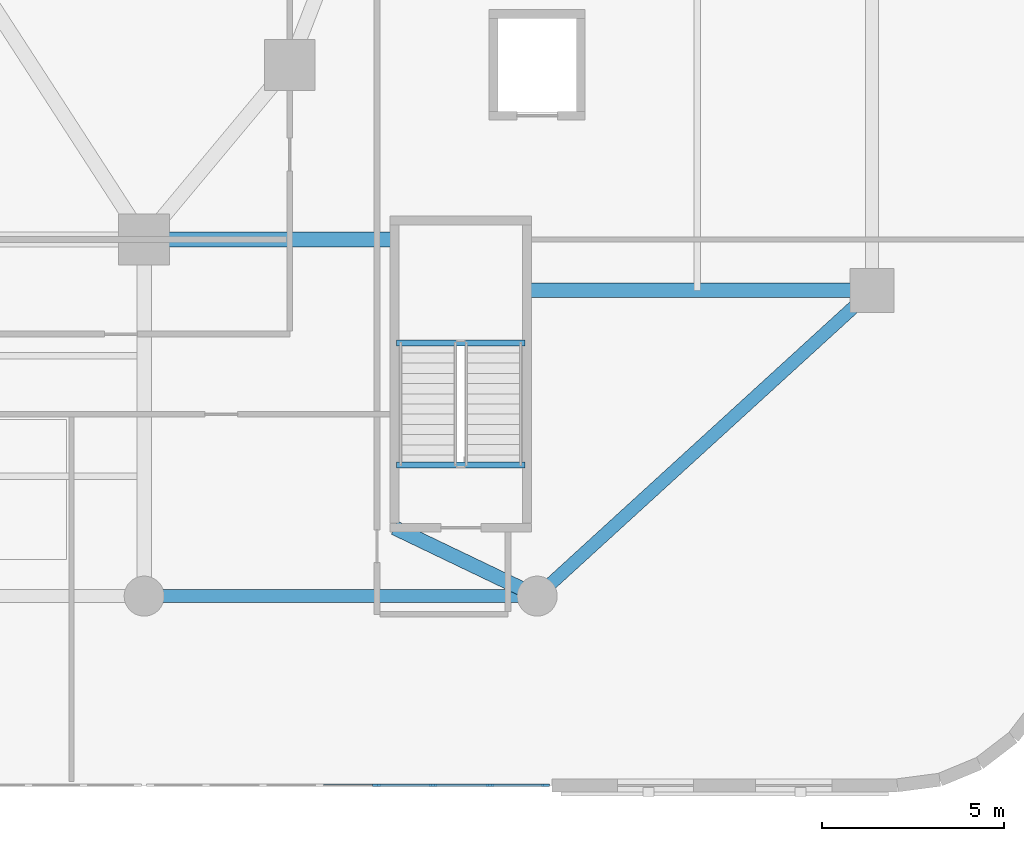
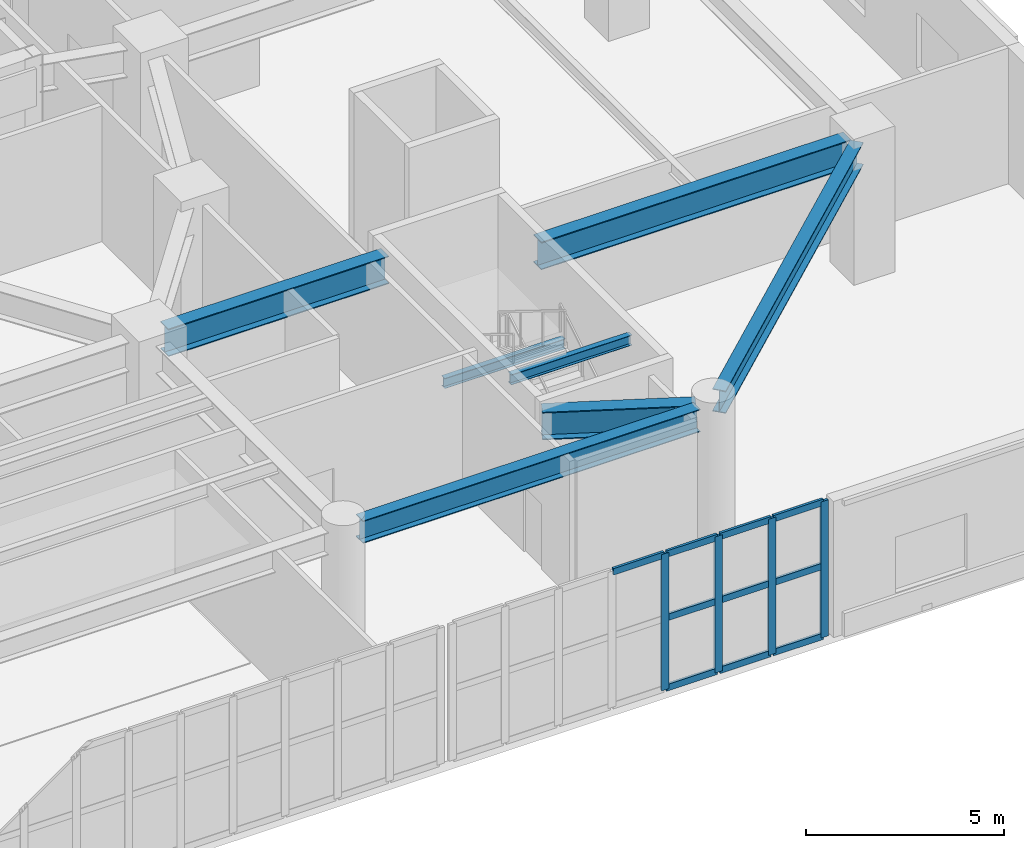
# One storey, part 6 of 25: 14 members, 7 beams, 1 element without a shape of its own.
"""IFC4 building model written with IfcOpenShell, lengths in metres."""

from ifc_helpers import new_model, si_unit, direction, frame, origin, origin_2d, place, context, subcontext, project, spatial, rectangle, i_section, extrude, material, material_profile, profile_set, type_object, element, aggregate, save


model = new_model("IFC4")

# Units and contexts
model_context = context("Model", 3, precision=1e-05, world=origin(), true_north=direction((0.0, 1.0)))
body_context = subcontext(model_context, "Body", "Model", "MODEL_VIEW")
ifc_project = project(units=[si_unit("LENGTHUNIT", "METRE"), si_unit("AREAUNIT", "SQUARE_METRE"), si_unit("VOLUMEUNIT", "CUBIC_METRE"), si_unit("PLANEANGLEUNIT", "RADIAN"), si_unit("MASSUNIT", "GRAM", prefix="KILO")], contexts=[model_context])

# Site, building, storey
site_placement = place(None, origin())
site = spatial("IfcSite", under=ifc_project, at=site_placement, CompositionType="ELEMENT")
building_placement = place(site_placement, origin())
building = spatial("IfcBuilding", under=site, at=building_placement, Name="Haldorwick Loom Tower", CompositionType="ELEMENT")
storey_placement = place(building_placement, frame((0.0, 0.0, 6.0)))
storey = spatial("IfcBuildingStorey", under=building, at=storey_placement, Name="L01", CompositionType="ELEMENT", Elevation=6.0)

# Curtain wall, members
ifc_material_1 = material(Name="Thermally Broken Anodized Aluminium Curtain Wall Framing", Category="aluminium")
curtain_wall_type = type_object("IfcCurtainWallType", Name="ARC-CW-01", PredefinedType="NOTDEFINED", material=ifc_material_1)
curtain_wall_placement = place(storey_placement, origin())
curtain_wall = element("IfcCurtainWall", 1, at=curtain_wall_placement, inside=storey, type_object=curtain_wall_type, Name="L01 Facade Curtain Wall CW-01 Bay 41", PredefinedType="NOTDEFINED")
ifc_material_profile_1 = material_profile(ifc_material_1, rectangle(XDim=0.074951171875, YDim=0.219970703125, at=origin_2d()), Name="ALU_MUL_75X220", Category="aluminium")
ifc_profile_set_1 = profile_set([ifc_material_profile_1], Name="Thermally Broken Anodized Aluminium Curtain Wall Framing")
member_type_1 = type_object("IfcMemberType", Name="ARC-CWM-01", PredefinedType="MULLION", material=ifc_profile_set_1)
member_1_placement = place(storey_placement, frame((53.179931640625, 0.0, 0.0), z_axis=(0.0, 0.0, 1.0), x_axis=(0.0, 1.0, 0.0)))
member_1 = element("IfcMember", 2, at=member_1_placement, type_object=member_type_1, Name="CW-01 mullion 5", PredefinedType="MULLION", context=body_context, shape_type="SweptSolid", body=[
    extrude(rectangle(XDim=0.074951171875, YDim=0.219970703125, at=origin_2d()), origin(), (0.0, 0.0, 1.0), 4.199951171875),
])
member_2_placement = place(storey_placement, frame((54.739990234375, 0.0, 0.0), z_axis=(0.0, 0.0, 1.0), x_axis=(0.0, 1.0, 0.0)))
member_2 = element("IfcMember", 3, at=member_2_placement, type_object=member_type_1, Name="CW-01 mullion 6", PredefinedType="MULLION", context=body_context, shape_type="SweptSolid", body=[
    extrude(rectangle(XDim=0.074951171875, YDim=0.219970703125, at=origin_2d()), origin(), (0.0, 0.0, 1.0), 4.199951171875),
])
member_3_placement = place(storey_placement, frame((56.300048828125, 0.0, 0.0), z_axis=(0.0, 0.0, 1.0), x_axis=(0.0, 1.0, 0.0)))
member_3 = element("IfcMember", 4, at=member_3_placement, type_object=member_type_1, Name="CW-01 mullion 7", PredefinedType="MULLION", context=body_context, shape_type="SweptSolid", body=[
    extrude(rectangle(XDim=0.074951171875, YDim=0.219970703125, at=origin_2d()), origin(), (0.0, 0.0, 1.0), 4.199951171875),
])
member_4_placement = place(storey_placement, frame((57.822509765625, 0.0, 0.0), z_axis=(0.0, 0.0, 1.0), x_axis=(0.0, 1.0, 0.0)))
member_4 = element("IfcMember", 5, at=member_4_placement, type_object=member_type_1, Name="CW-01 mullion 8", PredefinedType="MULLION", context=body_context, shape_type="SweptSolid", body=[
    extrude(rectangle(XDim=0.074951171875, YDim=0.219970703125, at=origin_2d()), origin(), (0.0, 0.0, 1.0), 4.199951171875),
])
ifc_material_profile_2 = material_profile(ifc_material_1, rectangle(XDim=0.074951171875, YDim=0.199951171875, at=origin_2d()), Name="ALU_TRN_75X200", Category="aluminium")
ifc_profile_set_2 = profile_set([ifc_material_profile_2], Name="Thermally Broken Anodized Aluminium Curtain Wall Framing")
member_type_2 = type_object("IfcMemberType", Name="ARC-CWT-01", PredefinedType="USERDEFINED", material=ifc_profile_set_2)
member_5_placement = place(storey_placement, frame((51.657470703125, 0.0, 4.16259765625), z_axis=(1.0, 0.0, 0.0), x_axis=(0.0, 1.0, 0.0)))
member_5 = element("IfcMember", 6, at=member_5_placement, type_object=member_type_2, Name="CW-01 transom 4.3", ObjectType="TRANSOM", PredefinedType="USERDEFINED", context=body_context, shape_type="SweptSolid", body=[
    extrude(rectangle(XDim=0.074951171875, YDim=0.199951171875, at=origin_2d()), origin(), (0.0, 0.0, 1.0), 1.485107421875),
])
member_6_placement = place(storey_placement, frame((53.217529296875, 0.0, 0.03759765625), z_axis=(1.0, 0.0, 0.0), x_axis=(0.0, 1.0, 0.0)))
member_6 = element("IfcMember", 7, at=member_6_placement, type_object=member_type_2, Name="CW-01 transom 5.1", ObjectType="TRANSOM", PredefinedType="USERDEFINED", context=body_context, shape_type="SweptSolid", body=[
    extrude(rectangle(XDim=0.074951171875, YDim=0.199951171875, at=origin_2d()), origin(), (0.0, 0.0, 1.0), 1.48486328125),
])
member_7_placement = place(storey_placement, frame((53.217529296875, 0.0, 2.199951171875), z_axis=(1.0, 0.0, 0.0), x_axis=(0.0, 1.0, 0.0)))
member_7 = element("IfcMember", 8, at=member_7_placement, type_object=member_type_2, Name="CW-01 transom 5.2", ObjectType="TRANSOM", PredefinedType="USERDEFINED", context=body_context, shape_type="SweptSolid", body=[
    extrude(rectangle(XDim=0.074951171875, YDim=0.199951171875, at=origin_2d()), origin(), (0.0, 0.0, 1.0), 1.48486328125),
])
member_8_placement = place(storey_placement, frame((53.217529296875, 0.0, 4.16259765625), z_axis=(1.0, 0.0, 0.0), x_axis=(0.0, 1.0, 0.0)))
member_8 = element("IfcMember", 9, at=member_8_placement, type_object=member_type_2, Name="CW-01 transom 5.3", ObjectType="TRANSOM", PredefinedType="USERDEFINED", context=body_context, shape_type="SweptSolid", body=[
    extrude(rectangle(XDim=0.074951171875, YDim=0.199951171875, at=origin_2d()), origin(), (0.0, 0.0, 1.0), 1.48486328125),
])
member_9_placement = place(storey_placement, frame((54.777587890625, 0.0, 0.03759765625), z_axis=(1.0, 0.0, 0.0), x_axis=(0.0, 1.0, 0.0)))
member_9 = element("IfcMember", 10, at=member_9_placement, type_object=member_type_2, Name="CW-01 transom 6.1", ObjectType="TRANSOM", PredefinedType="USERDEFINED", context=body_context, shape_type="SweptSolid", body=[
    extrude(rectangle(XDim=0.074951171875, YDim=0.199951171875, at=origin_2d()), origin(), (0.0, 0.0, 1.0), 1.48486328125),
])
member_10_placement = place(storey_placement, frame((54.777587890625, 0.0, 2.199951171875), z_axis=(1.0, 0.0, 0.0), x_axis=(0.0, 1.0, 0.0)))
member_10 = element("IfcMember", 11, at=member_10_placement, type_object=member_type_2, Name="CW-01 transom 6.2", ObjectType="TRANSOM", PredefinedType="USERDEFINED", context=body_context, shape_type="SweptSolid", body=[
    extrude(rectangle(XDim=0.074951171875, YDim=0.199951171875, at=origin_2d()), origin(), (0.0, 0.0, 1.0), 1.48486328125),
])
member_11_placement = place(storey_placement, frame((54.777587890625, 0.0, 4.16259765625), z_axis=(1.0, 0.0, 0.0), x_axis=(0.0, 1.0, 0.0)))
member_11 = element("IfcMember", 12, at=member_11_placement, type_object=member_type_2, Name="CW-01 transom 6.3", ObjectType="TRANSOM", PredefinedType="USERDEFINED", context=body_context, shape_type="SweptSolid", body=[
    extrude(rectangle(XDim=0.074951171875, YDim=0.199951171875, at=origin_2d()), origin(), (0.0, 0.0, 1.0), 1.48486328125),
])
member_12_placement = place(storey_placement, frame((56.33740234375, 0.0, 0.03759765625), z_axis=(1.0, 0.0, 0.0), x_axis=(0.0, 1.0, 0.0)))
member_12 = element("IfcMember", 13, at=member_12_placement, type_object=member_type_2, Name="CW-01 transom 7.1", ObjectType="TRANSOM", PredefinedType="USERDEFINED", context=body_context, shape_type="SweptSolid", body=[
    extrude(rectangle(XDim=0.074951171875, YDim=0.199951171875, at=origin_2d()), origin(), (0.0, 0.0, 1.0), 1.447509765625),
])
member_13_placement = place(storey_placement, frame((56.33740234375, 0.0, 2.199951171875), z_axis=(1.0, 0.0, 0.0), x_axis=(0.0, 1.0, 0.0)))
member_13 = element("IfcMember", 14, at=member_13_placement, type_object=member_type_2, Name="CW-01 transom 7.2", ObjectType="TRANSOM", PredefinedType="USERDEFINED", context=body_context, shape_type="SweptSolid", body=[
    extrude(rectangle(XDim=0.074951171875, YDim=0.199951171875, at=origin_2d()), origin(), (0.0, 0.0, 1.0), 1.447509765625),
])
member_14_placement = place(storey_placement, frame((56.33740234375, 0.0, 4.16259765625), z_axis=(1.0, 0.0, 0.0), x_axis=(0.0, 1.0, 0.0)))
member_14 = element("IfcMember", 15, at=member_14_placement, type_object=member_type_2, Name="CW-01 transom 7.3", ObjectType="TRANSOM", PredefinedType="USERDEFINED", context=body_context, shape_type="SweptSolid", body=[
    extrude(rectangle(XDim=0.074951171875, YDim=0.199951171875, at=origin_2d()), origin(), (0.0, 0.0, 1.0), 1.447509765625),
])
aggregate(curtain_wall, [member_1, member_2, member_3, member_4, member_5, member_6, member_7, member_8, member_9, member_10, member_11, member_12, member_13, member_14])

# Beams
ifc_material_2 = material(Name="Steel CSA G40.21 350W", Category="steel")
ifc_material_profile_3 = material_profile(ifc_material_2, i_section(OverallWidth=0.35498046875, OverallDepth=0.695068359375, WebThickness=0.015380859375, FlangeThickness=0.02490234375, at=origin_2d()), Name="W690X217", Category="steel")
ifc_profile_set_3 = profile_set([ifc_material_profile_3], Name="Steel CSA G40.21 350W")
beam_type_1 = type_object("IfcBeamType", Name="STR-BM-SP690", PredefinedType="SPANDREL", material=ifc_profile_set_3)
beam_1_placement = place(storey_placement, frame((47.280029296875, 5.199951171875, 3.8525390625), z_axis=(1.0, 0.0, 0.0), x_axis=(0.0, 1.0, 0.0)))
element("IfcBeam", 16, at=beam_1_placement, inside=storey, type_object=beam_type_1, Name="L01 Podium Spandrel PSP-S4", PredefinedType="SPANDREL", context=body_context, shape_type="SweptSolid", body=[
    extrude(i_section(OverallWidth=0.35498046875, OverallDepth=0.695068359375, WebThickness=0.015380859375, FlangeThickness=0.02490234375, at=origin_2d()), origin(), (0.0, 0.0, 1.0), 9.840087890625),
])
beam_2_placement = place(storey_placement, frame((57.95458984375, 5.523681640625, 3.8525390625), z_axis=(0.738482735745, 0.674272384876, 0.0), x_axis=(-0.674272384876, 0.738482735745, 0.0)))
element("IfcBeam", 17, at=beam_2_placement, inside=storey, type_object=beam_type_1, Name="L01 Podium Spandrel PSP-S5", PredefinedType="SPANDREL", context=body_context, shape_type="SweptSolid", body=[
    extrude(i_section(OverallWidth=0.35498046875, OverallDepth=0.695068359375, WebThickness=0.015380859375, FlangeThickness=0.02490234375, at=origin_2d()), origin(), (0.0, 0.0, 1.0), 11.497802734375),
])
ifc_material_profile_4 = material_profile(ifc_material_2, i_section(OverallWidth=0.166015625, OverallDepth=0.31298828125, WebThickness=0.006591796875, FlangeThickness=0.01123046875, at=origin_2d()), Name="W310X45", Category="steel")
ifc_profile_set_4 = profile_set([ifc_material_profile_4], Name="Steel CSA G40.21 350W")
beam_type_2 = type_object("IfcBeamType", Name="STR-BM-STRM", PredefinedType="BEAM", material=ifc_profile_set_4)
for number, where, z_axis, x_axis, name in (
    (18, (53.739990234375, 8.800048828125, 4.04345703125), (1.0, 0.0, 0.0), (0.0, 1.0, 0.0), "L01 Stair ST-P2 Landing Edge Trimmer"),
    (19, (53.739990234375, 12.159912109375, 1.8935546875), (1.0, 0.0, 0.0), (0.0, 1.0, 0.0), "L01 Stair ST-P2 Half-Landing Trimmer 1"),
):
    element("IfcBeam", number, at=place(storey_placement, frame(where, z_axis=z_axis, x_axis=x_axis)), inside=storey, type_object=beam_type_2, Name=name, PredefinedType="BEAM", context=body_context, shape_type="SweptSolid", body=[
        extrude(i_section(OverallWidth=0.166015625, OverallDepth=0.31298828125, WebThickness=0.006591796875, FlangeThickness=0.01123046875, at=origin_2d()), origin(), (0.0, 0.0, 1.0), 3.52001953125),
    ])
ifc_material_profile_5 = material_profile(ifc_material_2, i_section(OverallWidth=0.39990234375, OverallDepth=0.85498046875, WebThickness=0.018310546875, FlangeThickness=0.029296875, at=origin_2d()), Name="W840X299", Category="steel")
ifc_profile_set_5 = profile_set([ifc_material_profile_5], Name="Steel CSA G40.21 350W")
beam_type_3 = type_object("IfcBeamType", Name="STR-BM-W840", PredefinedType="BEAM", material=ifc_profile_set_5)
beam_3_placement = place(storey_placement, frame((66.35009765625, 13.60009765625, 3.7724609375), z_axis=(-1.0, 0.0, 0.0), x_axis=(0.0, -1.0, 0.0)))
element("IfcBeam", 20, at=beam_3_placement, inside=storey, type_object=beam_type_3, Name="L01 Podium Primary Girder PG-07A", PredefinedType="BEAM", context=body_context, shape_type="SweptSolid", body=[
    extrude(i_section(OverallWidth=0.39990234375, OverallDepth=0.85498046875, WebThickness=0.018310546875, FlangeThickness=0.029296875, at=origin_2d()), origin(), (0.0, 0.0, 1.0), 9.030029296875),
])
beam_4_placement = place(storey_placement, frame((53.679931640625, 15.0, 3.7724609375), z_axis=(-1.0, 0.0, 0.0), x_axis=(0.0, -1.0, 0.0)))
element("IfcBeam", 21, at=beam_4_placement, inside=storey, type_object=beam_type_3, Name="L01 Podium Primary Girder PG-07B", PredefinedType="BEAM", context=body_context, shape_type="SweptSolid", body=[
    extrude(i_section(OverallWidth=0.39990234375, OverallDepth=0.85498046875, WebThickness=0.018310546875, FlangeThickness=0.029296875, at=origin_2d()), origin(), (0.0, 0.0, 1.0), 6.429931640625),
])
beam_5_placement = place(storey_placement, frame((57.1943359375, 5.39453125, 3.7724609375), z_axis=(-0.901659852689, 0.432445961998, 0.0), x_axis=(-0.432445961998, -0.901659852689, 0.0)))
element("IfcBeam", 22, at=beam_5_placement, inside=storey, type_object=beam_type_3, Name="L01 Podium Primary Girder PG-17", PredefinedType="BEAM", context=body_context, shape_type="SweptSolid", body=[
    extrude(i_section(OverallWidth=0.39990234375, OverallDepth=0.85498046875, WebThickness=0.018310546875, FlangeThickness=0.029296875, at=origin_2d()), origin(), (0.0, 0.0, 1.0), 3.897705078125),
])

save(model, "model.ifc")
